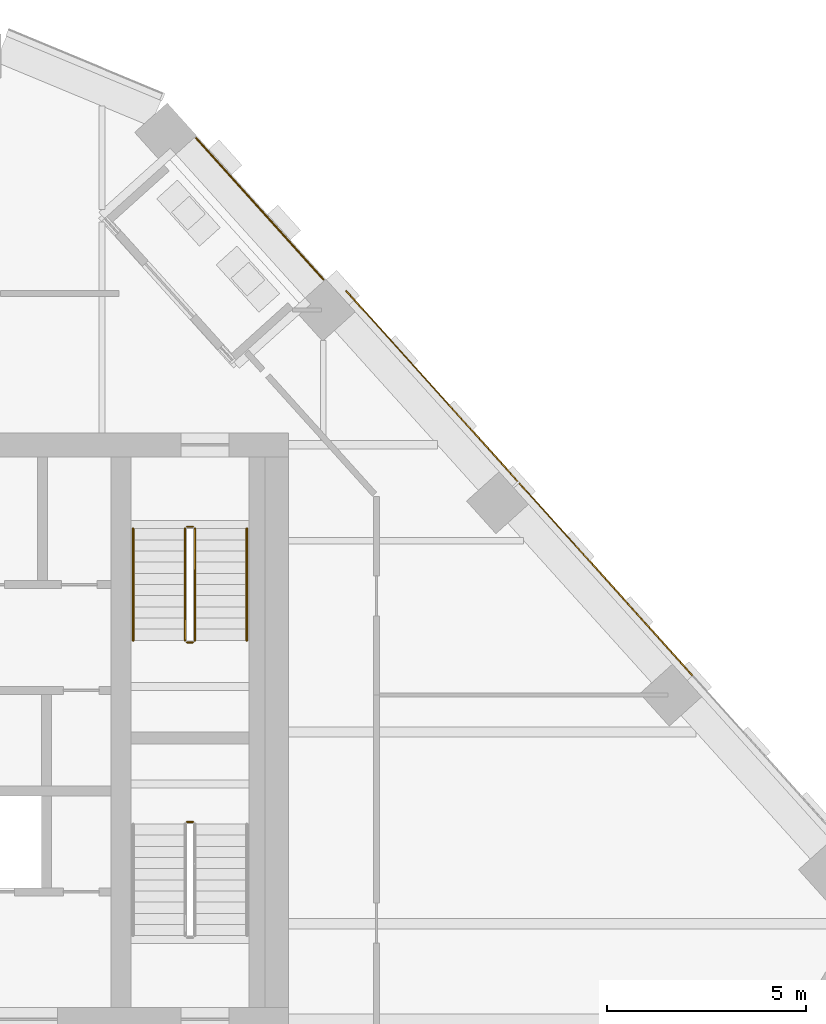
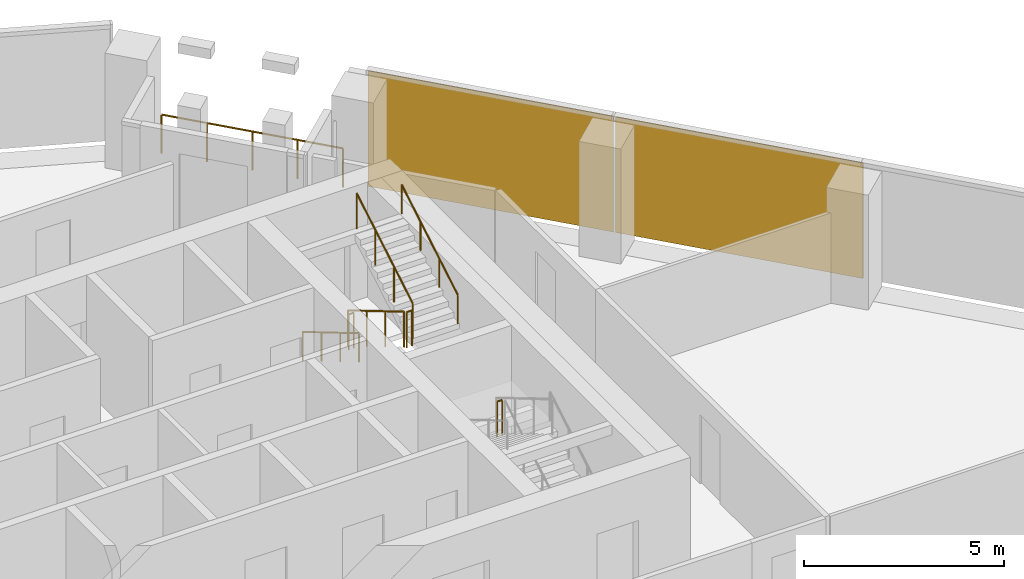
# One storey, part 23 of 24: 8 railings, 2 coverings, 1 element without a shape of its own.
"""IFC4 building model written with IfcOpenShell, lengths in metres."""

import ifcopenshell
import ifcopenshell.guid

model = None  # the IFC model being written
_history = None  # IfcOwnerHistory: only IFC2X3 demands one
_inside = {}  # id of a spatial element -> (the spatial element, [elements in it])
_under = {}  # id of a project, library or spatial element -> (it, [spatial elements below it])
_declared = {}  # id of a project -> (the project, [libraries it declares])
_typed = {}  # id of a type object -> (the type object, [elements of that type])
_made_of = {}  # id of a material, layer set ... -> (it, [elements and type objects made of it])


def new_model(schema):
    """Start an empty IFC model of exactly this schema.

    Asked for "IFC4X3", IfcOpenShell would pick the latest addendum, in which some entities
    have other attributes; the version numbers below select the first issue.
    IFC2X3 requires an IfcOwnerHistory on every rooted entity: one is made here for all.
    """
    global model, _history
    if schema == "IFC4X3":
        model = ifcopenshell.file(schema_version=(4, 3, 0, 0))
    else:
        model = ifcopenshell.file(schema=schema)
    _inside.clear()
    _under.clear()
    _declared.clear()
    _typed.clear()
    _made_of.clear()
    _history = None
    if model.schema == "IFC2X3":
        org = make("IfcOrganization", Name="unknown")
        user = make(
            "IfcPersonAndOrganization",
            ThePerson=make("IfcPerson", FamilyName="unknown"),
            TheOrganization=org,
        )
        app = make(
            "IfcApplication",
            ApplicationDeveloper=org,
            Version="unknown",
            ApplicationFullName="unknown",
            ApplicationIdentifier="unknown",
        )
        _history = make(
            "IfcOwnerHistory",
            OwningUser=user,
            OwningApplication=app,
            ChangeAction="ADDED",
            CreationDate=0,
        )
    return model


def make(cls, **values):
    """One entity of the class cls with the attributes given. An attribute that is None is left unset."""
    return model.create_entity(
        cls, **{name: value for name, value in values.items() if value is not None}
    )


def rooted(cls, **values):
    """An entity with a GlobalId (a new one), such as an element, a storey or a relation."""
    return make(cls, GlobalId=ifcopenshell.guid.new(), OwnerHistory=_history, **values)


def si_unit(unit_type, name, prefix=None):
    """IfcSIUnit, for example si_unit("LENGTHUNIT", "METRE", prefix="MILLI")."""
    return make("IfcSIUnit", UnitType=unit_type, Prefix=prefix, Name=name)


def assignment(units):
    """IfcUnitAssignment: the units of a project."""
    return None if units is None else make("IfcUnitAssignment", Units=units)


def point(xyz):
    """IfcCartesianPoint."""
    return None if xyz is None else make("IfcCartesianPoint", Coordinates=xyz)


def direction(xyz):
    """IfcDirection."""
    return None if xyz is None else make("IfcDirection", DirectionRatios=xyz)


def frame(location, z_axis=None, x_axis=None):
    """IfcAxis2Placement3D, a coordinate frame: its origin and axes. An axis left out is left unset."""
    return make(
        "IfcAxis2Placement3D",
        Location=point(location),
        Axis=direction(z_axis),
        RefDirection=direction(x_axis),
    )


def frame_2d(location, x_axis=None):
    """IfcAxis2Placement2D, a coordinate frame in the plane: its origin and x axis."""
    return make(
        "IfcAxis2Placement2D", Location=point(location), RefDirection=direction(x_axis)
    )


def origin():
    """The frame at (0, 0, 0) with its axes left unset."""
    return frame((0.0, 0.0, 0.0))


def origin_2d():
    """The frame at (0, 0) in the plane with its x axis left unset."""
    return frame_2d((0.0, 0.0))


def place(relative_to, where):
    """IfcLocalPlacement: puts the frame where relative to a parent placement (None: the world)."""
    return make(
        "IfcLocalPlacement", PlacementRelTo=relative_to, RelativePlacement=where
    )


def context(
    kind, dimensions, precision=None, world=None, true_north=None, identifier=None
):
    """IfcGeometricRepresentationContext, for example the 3D "Model" context."""
    return make(
        "IfcGeometricRepresentationContext",
        ContextIdentifier=identifier,
        ContextType=kind,
        CoordinateSpaceDimension=dimensions,
        Precision=precision,
        WorldCoordinateSystem=world,
        TrueNorth=true_north,
    )


def subcontext(parent, identifier, kind, view, scale=None):
    """IfcGeometricRepresentationSubContext, for example "Body" below "Model"."""
    return make(
        "IfcGeometricRepresentationSubContext",
        ContextIdentifier=identifier,
        ContextType=kind,
        ParentContext=parent,
        TargetScale=scale,
        TargetView=view,
    )


def project(units=None, contexts=None):
    """IfcProject with its units and contexts."""
    return rooted(
        "IfcProject",
        Name="project",
        RepresentationContexts=contexts,
        UnitsInContext=assignment(units),
    )


def spatial(cls, under=None, at=None, **own):
    """A site, building, storey or space (cls), placed at a placement, below another one or the project."""
    s = rooted(cls, ObjectPlacement=at, **own)
    if under is not None:
        _under.setdefault(under.id(), (under, []))[1].append(s)
    return s


def profile(cls, at=None, kind="AREA", **sizes):
    """A parametric profile (cls). Its sizes go by their IFC names, for example OverallWidth=200.0."""
    return make(cls, ProfileType=kind, Position=at, **sizes)


def rectangle(**sizes):
    """IfcRectangleProfileDef."""
    return profile("IfcRectangleProfileDef", **sizes)


def circle(**sizes):
    """IfcCircleProfileDef."""
    return profile("IfcCircleProfileDef", **sizes)


def extrude(swept, where, along, depth):
    """IfcExtrudedAreaSolid: the profile swept, set in the frame where, extruded along a direction by depth."""
    return make(
        "IfcExtrudedAreaSolid",
        SweptArea=swept,
        Position=where,
        ExtrudedDirection=direction(along),
        Depth=depth,
    )


def shape(context_of_items, identifier, shape_type, items):
    """IfcShapeRepresentation: the items that make up one representation, for example the "Body"."""
    return make(
        "IfcShapeRepresentation",
        ContextOfItems=context_of_items,
        RepresentationIdentifier=identifier,
        RepresentationType=shape_type,
        Items=items,
    )


def material(Name=None, Category=None):
    """IfcMaterial."""
    return make("IfcMaterial", Name=Name, Category=Category)


def layer(
    of_material, thickness, ventilated=None, Name=None, Category=None, Priority=None
):
    """IfcMaterialLayer: one layer of a wall or slab, of a material (None: an air gap)."""
    return make(
        "IfcMaterialLayer",
        Material=of_material,
        LayerThickness=thickness,
        IsVentilated=ventilated,
        Name=Name,
        Category=Category,
        Priority=Priority,
    )


def layer_set(layers, Name=None):
    """IfcMaterialLayerSet."""
    return make("IfcMaterialLayerSet", MaterialLayers=layers, LayerSetName=Name)


def made_of(thing, what):
    """Note that an element or type object is made of a material, layer set ...; save() writes the relation."""
    if what is not None:
        _made_of.setdefault(what.id(), (what, []))[1].append(thing)
    return thing


def type_object(cls, material=None, **own):
    """A type object (cls), such as IfcWallType, which elements share."""
    return made_of(rooted(cls, **own), material)


def element(
    cls,
    number,
    at=None,
    inside=None,
    cuts=None,
    type_object=None,
    material=None,
    context=None,
    identifier="Body",
    shape_type=None,
    held_by="IfcProductDefinitionShape",
    body=None,
    shapes=None,
    **own,
):
    """One element of the class cls, such as IfcWall. Its Tag is "e" and its number.

    at: its placement. inside: the storey or other place that contains it. cuts: it is an
    opening in that element (IfcRelVoidsElement). A single representation is given by context,
    identifier, shape_type and body (its items); several are given by shapes. held_by: the class
    of the entity that holds the representations. save() writes the other relations.
    """
    e = rooted(cls, Tag="e%d" % number, ObjectPlacement=at, **own)
    if body is not None:
        shapes = [shape(context, identifier, shape_type, body)]
    if shapes is not None:
        e.Representation = make(held_by, Representations=shapes)
    if inside is not None:
        _inside.setdefault(inside.id(), (inside, []))[1].append(e)
    if cuts is not None:
        rooted(
            "IfcRelVoidsElement", RelatingBuildingElement=cuts, RelatedOpeningElement=e
        )
    if type_object is not None:
        _typed.setdefault(type_object.id(), (type_object, []))[1].append(e)
    return made_of(e, material)


def aggregate(whole, parts):
    """IfcRelAggregates: a whole, such as a stair, and the parts it consists of."""
    return rooted("IfcRelAggregates", RelatingObject=whole, RelatedObjects=parts)


def save(model, path):
    """Write the relations noted so far, then the file.

    IfcRelAggregates (storeys below a building ...), IfcRelContainedInSpatialStructure (elements
    in a storey), IfcRelDefinesByType, IfcRelAssociatesMaterial and IfcRelDeclares: one each for
    every whole, place, type object, material and project.
    """
    for whole, parts in _under.values():
        aggregate(whole, parts)
    for where, things in _inside.values():
        rooted(
            "IfcRelContainedInSpatialStructure",
            RelatedElements=things,
            RelatingStructure=where,
        )
    for kind, things in _typed.values():
        rooted("IfcRelDefinesByType", RelatedObjects=things, RelatingType=kind)
    for what, things in _made_of.values():
        rooted("IfcRelAssociatesMaterial", RelatedObjects=things, RelatingMaterial=what)
    for by, libraries in _declared.values():
        rooted("IfcRelDeclares", RelatingContext=by, RelatedDefinitions=libraries)
    model.write(path)


model = new_model("IFC4")

# Units and contexts
model_context = context("Model", 3, precision=1e-05, world=origin(), true_north=direction((0.0, 1.0)))
body_context = subcontext(model_context, "Body", "Model", "MODEL_VIEW")
ifc_project = project(units=[si_unit("LENGTHUNIT", "METRE"), si_unit("AREAUNIT", "SQUARE_METRE"), si_unit("VOLUMEUNIT", "CUBIC_METRE"), si_unit("PLANEANGLEUNIT", "RADIAN"), si_unit("MASSUNIT", "GRAM", prefix="KILO")], contexts=[model_context])

# Site, building, storey
site_placement = place(None, origin())
site = spatial("IfcSite", under=ifc_project, at=site_placement, CompositionType="ELEMENT")
building_placement = place(site_placement, origin())
building = spatial("IfcBuilding", under=site, at=building_placement, Name="Isthmus Gate Tower", CompositionType="ELEMENT")
storey_placement = place(building_placement, frame((0.0, 0.0, 234.550048828125)))
storey = spatial("IfcBuildingStorey", under=building, at=storey_placement, Name="L59", CompositionType="ELEMENT", Elevation=234.550048828125)

# Curtain wall, coverings
ifc_material_1 = material(Name="Aluminium, pale champagne anodised", Category="aluminium")
ifc_layer_1 = layer(ifc_material_1, 0.199951171875)
ifc_layer_set_1 = layer_set([ifc_layer_1], Name="CW-1 UNITISED CURTAIN WALL 200 DEEP")
curtain_wall_type = type_object("IfcCurtainWallType", Name="CW-1 UNITISED CURTAIN WALL 200 DEEP", PredefinedType="NOTDEFINED", material=ifc_layer_set_1)
curtain_wall_placement = place(storey_placement, origin())
curtain_wall = element("IfcCurtainWall", 1, at=curtain_wall_placement, inside=storey, type_object=curtain_wall_type, Name="CW-1 NE L59", PredefinedType="NOTDEFINED")
ifc_material_2 = material(Name="Aluminium composite panel, pale champagne anodised", Category="aluminium")
ifc_layer_2 = layer(ifc_material_2, 0.031982421875)
ifc_layer_set_2 = layer_set([ifc_layer_2], Name="CW-1 PALE METAL PANEL 32")
covering_type = type_object("IfcCoveringType", Name="CW-1 PALE METAL PANEL 32", PredefinedType="CLADDING", material=ifc_layer_set_2)
covering_1_placement = place(storey_placement, frame((22.950927734375, 11.330810546875, 0.0), z_axis=(0.0, 0.0, 1.0), x_axis=(-0.669130606359, 0.743144825477, 0.0)))
covering_1 = element("IfcCovering", 2, at=covering_1_placement, type_object=covering_type, Name="CW-1 pale metal panel", PredefinedType="CLADDING", context=body_context, shape_type="SweptSolid", body=[
    extrude(rectangle(XDim=6.491943359375, YDim=0.031982421875, at=origin_2d()), origin(), (0.0, 0.0, 1.0), 3.52001953125),
])
covering_2_placement = place(storey_placement, frame((18.5869140625, 16.177734375, 0.0), z_axis=(0.0, 0.0, 1.0), x_axis=(-0.669130606359, 0.743144825477, 0.0)))
covering_2 = element("IfcCovering", 3, at=covering_2_placement, type_object=covering_type, Name="CW-1 pale metal panel", PredefinedType="CLADDING", context=body_context, shape_type="SweptSolid", body=[
    extrude(rectangle(XDim=6.431884765625, YDim=0.031982421875, at=origin_2d()), origin(), (0.0, 0.0, 1.0), 3.52001953125),
])
aggregate(curtain_wall, [covering_1, covering_2])

# Railings
ifc_material_3 = material(Name="Toughened laminated glass with stainless steel posts", Category="steel")
railing_type_1 = type_object("IfcRailingType", Name="GUARD 1200 FRAMELESS GLASS", PredefinedType="GUARDRAIL", material=ifc_material_3)
railing_1_placement = place(storey_placement, frame((15.8662109375, 18.849365234375, 0.0)))
element("IfcRailing", 4, at=railing_1_placement, inside=storey, type_object=railing_type_1, Name="LOGGIA GUARD", PredefinedType="GUARDRAIL", context=body_context, shape_type="SweptSolid", body=[
    extrude(circle(Radius=0.02490234375, at=origin_2d()), frame((0.0, 0.0, 1.1748046875), z_axis=(-0.669120508754, 0.743153917277, 0.0), x_axis=(-0.743153917277, -0.669120508754, 0.0)), (0.0, 0.0, 1.0), 4.761962890625),
    extrude(circle(Radius=0.02490234375, at=origin_2d()), origin(), (0.0, 0.0, 1.0), 1.14990234375),
    extrude(circle(Radius=0.02490234375, at=origin_2d()), frame((-0.796630859375, 0.884765625, 0.0)), (0.0, 0.0, 1.0), 1.14990234375),
    extrude(circle(Radius=0.02490234375, at=origin_2d()), frame((-1.59326171875, 1.76953125, 0.0)), (0.0, 0.0, 1.0), 1.14990234375),
    extrude(circle(Radius=0.02490234375, at=origin_2d()), frame((-2.3896484375, 2.654052734375, 0.0)), (0.0, 0.0, 1.0), 1.14990234375),
    extrude(circle(Radius=0.02490234375, at=origin_2d()), frame((-3.186279296875, 3.538818359375, 0.0)), (0.0, 0.0, 1.0), 1.14990234375),
])
ifc_material_4 = material(Name="Stainless steel balustrade", Category="steel")
railing_type_2 = type_object("IfcRailingType", Name="STAIR GUARD 1100", PredefinedType="GUARDRAIL", material=ifc_material_4)
railing_2_placement = place(storey_placement, frame((12.39990234375, 12.60009765625, 0.165771484375)))
element("IfcRailing", 5, at=railing_2_placement, inside=storey, type_object=railing_type_2, Name="L59 ST2 stair guard 1", PredefinedType="GUARDRAIL", context=body_context, shape_type="SweptSolid", body=[
    extrude(circle(Radius=0.02392578125, at=origin_2d()), frame((0.0, 0.0, 1.076171875), z_axis=(0.0, -0.860306154799, 0.50977771628), x_axis=(1.0, 0.0, 0.0)), (0.0, 0.0, 1.0), 3.254638671875),
    extrude(circle(Radius=0.02099609375, at=origin_2d()), origin(), (0.0, 0.0, 1.0), 1.052001953125),
    extrude(circle(Radius=0.02099609375, at=origin_2d()), frame((0.0, -0.933349609375, 0.552978515625)), (0.0, 0.0, 1.0), 1.052001953125),
    extrude(circle(Radius=0.02099609375, at=origin_2d()), frame((0.0, -1.86669921875, 1.106201171875)), (0.0, 0.0, 1.0), 1.052001953125),
    extrude(circle(Radius=0.02099609375, at=origin_2d()), frame((0.0, -2.800048828125, 1.6591796875)), (0.0, 0.0, 1.0), 1.052001953125),
])
railing_3_placement = place(storey_placement, frame((12.449951171875, 9.75, 1.824951171875)))
element("IfcRailing", 6, at=railing_3_placement, inside=storey, type_object=railing_type_2, Name="L59 ST2 stair guard 2", PredefinedType="GUARDRAIL", context=body_context, shape_type="SweptSolid", body=[
    extrude(circle(Radius=0.02392578125, at=origin_2d()), frame((0.0, 0.0, 1.076171875), z_axis=(1.0, 0.0, 0.0), x_axis=(0.0, 1.0, 0.0)), (0.0, 0.0, 1.0), 0.150146484375),
    extrude(circle(Radius=0.02099609375, at=origin_2d()), origin(), (0.0, 0.0, 1.0), 1.052001953125),
    extrude(circle(Radius=0.02099609375, at=origin_2d()), frame((0.150146484375, 0.0, 0.0)), (0.0, 0.0, 1.0), 1.052001953125),
])
railing_4_placement = place(storey_placement, frame((12.64990234375, 9.800048828125, 1.990966796875)))
element("IfcRailing", 7, at=railing_4_placement, inside=storey, type_object=railing_type_2, Name="L59 ST2 stair guard 3", PredefinedType="GUARDRAIL", context=body_context, shape_type="SweptSolid", body=[
    extrude(circle(Radius=0.02392578125, at=origin_2d()), frame((0.0, 0.0, 1.076171875), z_axis=(0.0, 0.860339051648, 0.50972219513), x_axis=(-1.0, 0.0, 0.0)), (0.0, 0.0, 1.0), 3.254638671875),
    extrude(circle(Radius=0.02099609375, at=origin_2d()), origin(), (0.0, 0.0, 1.0), 1.052001953125),
    extrude(circle(Radius=0.02099609375, at=origin_2d()), frame((0.0, 0.933349609375, 0.552978515625)), (0.0, 0.0, 1.0), 1.052001953125),
    extrude(circle(Radius=0.02099609375, at=origin_2d()), frame((0.0, 1.86669921875, 1.10595703125)), (0.0, 0.0, 1.0), 1.052001953125),
    extrude(circle(Radius=0.02099609375, at=origin_2d()), frame((0.0, 2.800048828125, 1.658935546875)), (0.0, 0.0, 1.0), 1.052001953125),
])
railing_5_placement = place(storey_placement, frame((12.449951171875, 12.64990234375, 0.0)))
element("IfcRailing", 8, at=railing_5_placement, inside=storey, type_object=railing_type_2, Name="L59 ST2 stair guard 4", PredefinedType="GUARDRAIL", context=body_context, shape_type="SweptSolid", body=[
    extrude(circle(Radius=0.02392578125, at=origin_2d()), frame((0.0, 0.0, 1.076171875), z_axis=(1.0, 0.0, 0.0), x_axis=(0.0, 1.0, 0.0)), (0.0, 0.0, 1.0), 0.150146484375),
    extrude(circle(Radius=0.02099609375, at=origin_2d()), origin(), (0.0, 0.0, 1.0), 1.052001953125),
    extrude(circle(Radius=0.02099609375, at=origin_2d()), frame((0.150146484375, 0.0, 0.0)), (0.0, 0.0, 1.0), 1.052001953125),
])
railing_6_placement = place(storey_placement, frame((12.60009765625, 5.25, 1.824951171875)))
element("IfcRailing", 9, at=railing_6_placement, inside=storey, type_object=railing_type_2, Name="L59 ST8 stair guard 2", PredefinedType="GUARDRAIL", context=body_context, shape_type="SweptSolid", body=[
    extrude(circle(Radius=0.02392578125, at=origin_2d()), frame((0.0, 0.0, 1.076171875), z_axis=(-1.0, 0.0, 0.0), x_axis=(0.0, -1.0, 0.0)), (0.0, 0.0, 1.0), 0.150146484375),
    extrude(circle(Radius=0.02099609375, at=origin_2d()), origin(), (0.0, 0.0, 1.0), 1.052001953125),
    extrude(circle(Radius=0.02099609375, at=origin_2d()), frame((-0.150146484375, 0.0, 0.0)), (0.0, 0.0, 1.0), 1.052001953125),
])
ifc_material_5 = material(Name="Stainless steel handrail", Category="steel")
railing_type_3 = type_object("IfcRailingType", Name="STAIR HANDRAIL 900", PredefinedType="HANDRAIL", material=ifc_material_5)
railing_7_placement = place(storey_placement, frame((11.10009765625, 12.60009765625, 0.165771484375)))
element("IfcRailing", 10, at=railing_7_placement, inside=storey, type_object=railing_type_3, Name="L59 ST2 stair handrail 1", PredefinedType="HANDRAIL", context=body_context, shape_type="SweptSolid", body=[
    extrude(circle(Radius=0.02392578125, at=origin_2d()), frame((0.0, 0.0, 0.8759765625), z_axis=(0.0, -0.860306154799, 0.50977771628), x_axis=(1.0, 0.0, 0.0)), (0.0, 0.0, 1.0), 3.254638671875),
    extrude(circle(Radius=0.02099609375, at=origin_2d()), origin(), (0.0, 0.0, 1.0), 0.851806640625),
    extrude(circle(Radius=0.02099609375, at=origin_2d()), frame((0.0, -0.933349609375, 0.552978515625)), (0.0, 0.0, 1.0), 0.851806640625),
    extrude(circle(Radius=0.02099609375, at=origin_2d()), frame((0.0, -1.86669921875, 1.106201171875)), (0.0, 0.0, 1.0), 0.851806640625),
    extrude(circle(Radius=0.02099609375, at=origin_2d()), frame((0.0, -2.800048828125, 1.6591796875)), (0.0, 0.0, 1.0), 0.851806640625),
])
railing_8_placement = place(storey_placement, frame((13.949951171875, 9.800048828125, 1.990966796875)))
element("IfcRailing", 11, at=railing_8_placement, inside=storey, type_object=railing_type_3, Name="L59 ST2 stair handrail 2", PredefinedType="HANDRAIL", context=body_context, shape_type="SweptSolid", body=[
    extrude(circle(Radius=0.02392578125, at=origin_2d()), frame((0.0, 0.0, 0.8759765625), z_axis=(0.0, 0.860339051648, 0.50972219513), x_axis=(-1.0, 0.0, 0.0)), (0.0, 0.0, 1.0), 3.254638671875),
    extrude(circle(Radius=0.02099609375, at=origin_2d()), origin(), (0.0, 0.0, 1.0), 0.851806640625),
    extrude(circle(Radius=0.02099609375, at=origin_2d()), frame((0.0, 0.933349609375, 0.552978515625)), (0.0, 0.0, 1.0), 0.851806640625),
    extrude(circle(Radius=0.02099609375, at=origin_2d()), frame((0.0, 1.86669921875, 1.10595703125)), (0.0, 0.0, 1.0), 0.851806640625),
    extrude(circle(Radius=0.02099609375, at=origin_2d()), frame((0.0, 2.800048828125, 1.658935546875)), (0.0, 0.0, 1.0), 0.851806640625),
])

save(model, "model.ifc")
